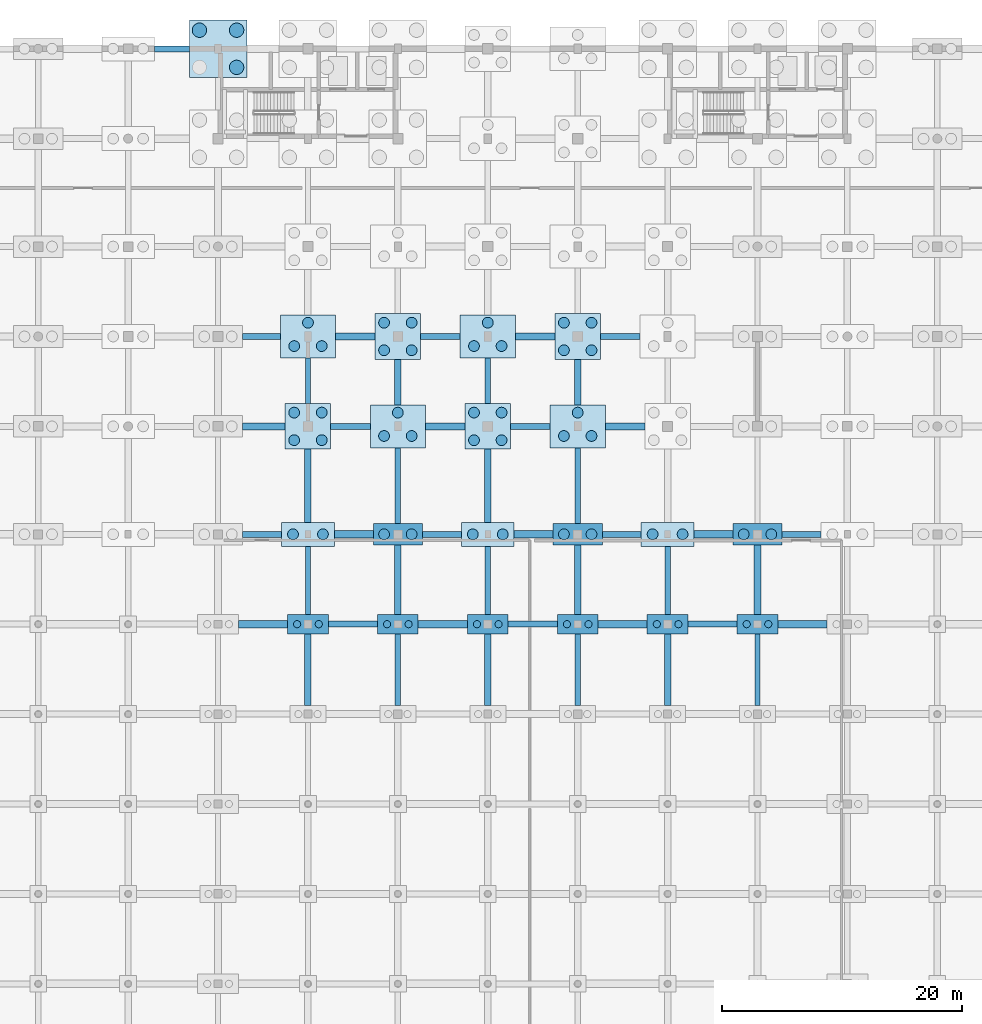
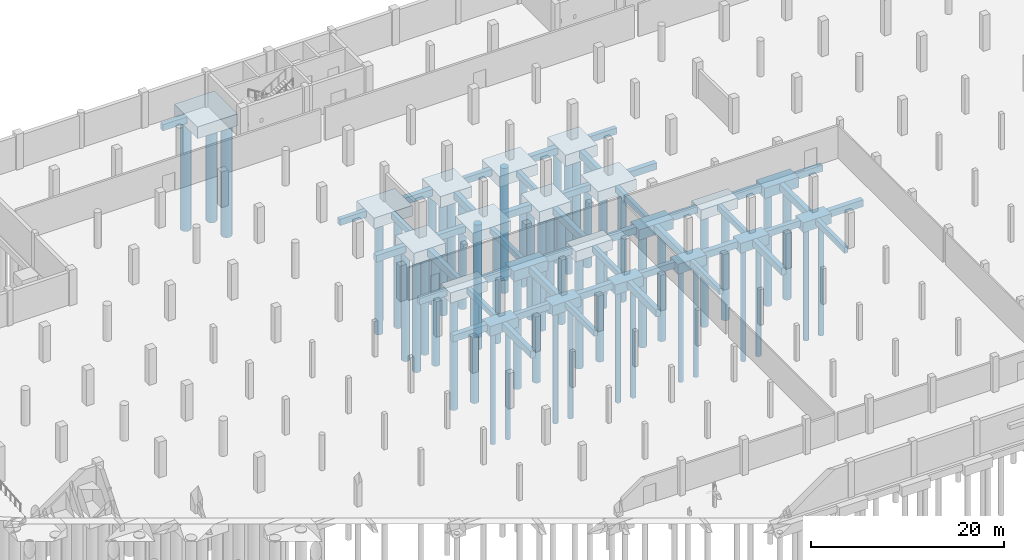
# One storey, part 8 of 42: 66 footings, 55 piles.
"""IFC4 building model written with IfcOpenShell, lengths in metres."""

import ifcopenshell
import ifcopenshell.guid

model = None  # the IFC model being written
_history = None  # IfcOwnerHistory: only IFC2X3 demands one
_inside = {}  # id of a spatial element -> (the spatial element, [elements in it])
_under = {}  # id of a project, library or spatial element -> (it, [spatial elements below it])
_declared = {}  # id of a project -> (the project, [libraries it declares])
_typed = {}  # id of a type object -> (the type object, [elements of that type])
_made_of = {}  # id of a material, layer set ... -> (it, [elements and type objects made of it])


def new_model(schema):
    """Start an empty IFC model of exactly this schema.

    Asked for "IFC4X3", IfcOpenShell would pick the latest addendum, in which some entities
    have other attributes; the version numbers below select the first issue.
    IFC2X3 requires an IfcOwnerHistory on every rooted entity: one is made here for all.
    """
    global model, _history
    if schema == "IFC4X3":
        model = ifcopenshell.file(schema_version=(4, 3, 0, 0))
    else:
        model = ifcopenshell.file(schema=schema)
    _inside.clear()
    _under.clear()
    _declared.clear()
    _typed.clear()
    _made_of.clear()
    _history = None
    if model.schema == "IFC2X3":
        org = make("IfcOrganization", Name="unknown")
        user = make(
            "IfcPersonAndOrganization",
            ThePerson=make("IfcPerson", FamilyName="unknown"),
            TheOrganization=org,
        )
        app = make(
            "IfcApplication",
            ApplicationDeveloper=org,
            Version="unknown",
            ApplicationFullName="unknown",
            ApplicationIdentifier="unknown",
        )
        _history = make(
            "IfcOwnerHistory",
            OwningUser=user,
            OwningApplication=app,
            ChangeAction="ADDED",
            CreationDate=0,
        )
    return model


def make(cls, **values):
    """One entity of the class cls with the attributes given. An attribute that is None is left unset."""
    return model.create_entity(
        cls, **{name: value for name, value in values.items() if value is not None}
    )


def rooted(cls, **values):
    """An entity with a GlobalId (a new one), such as an element, a storey or a relation."""
    return make(cls, GlobalId=ifcopenshell.guid.new(), OwnerHistory=_history, **values)


def si_unit(unit_type, name, prefix=None):
    """IfcSIUnit, for example si_unit("LENGTHUNIT", "METRE", prefix="MILLI")."""
    return make("IfcSIUnit", UnitType=unit_type, Prefix=prefix, Name=name)


def assignment(units):
    """IfcUnitAssignment: the units of a project."""
    return None if units is None else make("IfcUnitAssignment", Units=units)


def point(xyz):
    """IfcCartesianPoint."""
    return None if xyz is None else make("IfcCartesianPoint", Coordinates=xyz)


def direction(xyz):
    """IfcDirection."""
    return None if xyz is None else make("IfcDirection", DirectionRatios=xyz)


def frame(location, z_axis=None, x_axis=None):
    """IfcAxis2Placement3D, a coordinate frame: its origin and axes. An axis left out is left unset."""
    return make(
        "IfcAxis2Placement3D",
        Location=point(location),
        Axis=direction(z_axis),
        RefDirection=direction(x_axis),
    )


def frame_2d(location, x_axis=None):
    """IfcAxis2Placement2D, a coordinate frame in the plane: its origin and x axis."""
    return make(
        "IfcAxis2Placement2D", Location=point(location), RefDirection=direction(x_axis)
    )


def origin():
    """The frame at (0, 0, 0) with its axes left unset."""
    return frame((0.0, 0.0, 0.0))


def origin_2d():
    """The frame at (0, 0) in the plane with its x axis left unset."""
    return frame_2d((0.0, 0.0))


def place(relative_to, where):
    """IfcLocalPlacement: puts the frame where relative to a parent placement (None: the world)."""
    return make(
        "IfcLocalPlacement", PlacementRelTo=relative_to, RelativePlacement=where
    )


def context(
    kind, dimensions, precision=None, world=None, true_north=None, identifier=None
):
    """IfcGeometricRepresentationContext, for example the 3D "Model" context."""
    return make(
        "IfcGeometricRepresentationContext",
        ContextIdentifier=identifier,
        ContextType=kind,
        CoordinateSpaceDimension=dimensions,
        Precision=precision,
        WorldCoordinateSystem=world,
        TrueNorth=true_north,
    )


def subcontext(parent, identifier, kind, view, scale=None):
    """IfcGeometricRepresentationSubContext, for example "Body" below "Model"."""
    return make(
        "IfcGeometricRepresentationSubContext",
        ContextIdentifier=identifier,
        ContextType=kind,
        ParentContext=parent,
        TargetScale=scale,
        TargetView=view,
    )


def project(units=None, contexts=None):
    """IfcProject with its units and contexts."""
    return rooted(
        "IfcProject",
        Name="project",
        RepresentationContexts=contexts,
        UnitsInContext=assignment(units),
    )


def spatial(cls, under=None, at=None, **own):
    """A site, building, storey or space (cls), placed at a placement, below another one or the project."""
    s = rooted(cls, ObjectPlacement=at, **own)
    if under is not None:
        _under.setdefault(under.id(), (under, []))[1].append(s)
    return s


def profile(cls, at=None, kind="AREA", **sizes):
    """A parametric profile (cls). Its sizes go by their IFC names, for example OverallWidth=200.0."""
    return make(cls, ProfileType=kind, Position=at, **sizes)


def rectangle(**sizes):
    """IfcRectangleProfileDef."""
    return profile("IfcRectangleProfileDef", **sizes)


def circle(**sizes):
    """IfcCircleProfileDef."""
    return profile("IfcCircleProfileDef", **sizes)


def extrude(swept, where, along, depth):
    """IfcExtrudedAreaSolid: the profile swept, set in the frame where, extruded along a direction by depth."""
    return make(
        "IfcExtrudedAreaSolid",
        SweptArea=swept,
        Position=where,
        ExtrudedDirection=direction(along),
        Depth=depth,
    )


def shape(context_of_items, identifier, shape_type, items):
    """IfcShapeRepresentation: the items that make up one representation, for example the "Body"."""
    return make(
        "IfcShapeRepresentation",
        ContextOfItems=context_of_items,
        RepresentationIdentifier=identifier,
        RepresentationType=shape_type,
        Items=items,
    )


def material(Name=None, Category=None):
    """IfcMaterial."""
    return make("IfcMaterial", Name=Name, Category=Category)


def material_profile(
    of_material, cross_section, Name=None, Category=None, Priority=None
):
    """IfcMaterialProfile: a cross section and its material."""
    return make(
        "IfcMaterialProfile",
        Name=Name,
        Material=of_material,
        Profile=cross_section,
        Priority=Priority,
        Category=Category,
    )


def profile_set(profiles, Name=None, composite=None):
    """IfcMaterialProfileSet."""
    return make(
        "IfcMaterialProfileSet",
        Name=Name,
        MaterialProfiles=profiles,
        CompositeProfile=composite,
    )


def made_of(thing, what):
    """Note that an element or type object is made of a material, layer set ...; save() writes the relation."""
    if what is not None:
        _made_of.setdefault(what.id(), (what, []))[1].append(thing)
    return thing


def type_object(cls, material=None, **own):
    """A type object (cls), such as IfcWallType, which elements share."""
    return made_of(rooted(cls, **own), material)


def element(
    cls,
    number,
    at=None,
    inside=None,
    cuts=None,
    type_object=None,
    material=None,
    context=None,
    identifier="Body",
    shape_type=None,
    held_by="IfcProductDefinitionShape",
    body=None,
    shapes=None,
    **own,
):
    """One element of the class cls, such as IfcWall. Its Tag is "e" and its number.

    at: its placement. inside: the storey or other place that contains it. cuts: it is an
    opening in that element (IfcRelVoidsElement). A single representation is given by context,
    identifier, shape_type and body (its items); several are given by shapes. held_by: the class
    of the entity that holds the representations. save() writes the other relations.
    """
    e = rooted(cls, Tag="e%d" % number, ObjectPlacement=at, **own)
    if body is not None:
        shapes = [shape(context, identifier, shape_type, body)]
    if shapes is not None:
        e.Representation = make(held_by, Representations=shapes)
    if inside is not None:
        _inside.setdefault(inside.id(), (inside, []))[1].append(e)
    if cuts is not None:
        rooted(
            "IfcRelVoidsElement", RelatingBuildingElement=cuts, RelatedOpeningElement=e
        )
    if type_object is not None:
        _typed.setdefault(type_object.id(), (type_object, []))[1].append(e)
    return made_of(e, material)


def aggregate(whole, parts):
    """IfcRelAggregates: a whole, such as a stair, and the parts it consists of."""
    return rooted("IfcRelAggregates", RelatingObject=whole, RelatedObjects=parts)


def save(model, path):
    """Write the relations noted so far, then the file.

    IfcRelAggregates (storeys below a building ...), IfcRelContainedInSpatialStructure (elements
    in a storey), IfcRelDefinesByType, IfcRelAssociatesMaterial and IfcRelDeclares: one each for
    every whole, place, type object, material and project.
    """
    for whole, parts in _under.values():
        aggregate(whole, parts)
    for where, things in _inside.values():
        rooted(
            "IfcRelContainedInSpatialStructure",
            RelatedElements=things,
            RelatingStructure=where,
        )
    for kind, things in _typed.values():
        rooted("IfcRelDefinesByType", RelatedObjects=things, RelatingType=kind)
    for what, things in _made_of.values():
        rooted("IfcRelAssociatesMaterial", RelatedObjects=things, RelatingMaterial=what)
    for by, libraries in _declared.values():
        rooted("IfcRelDeclares", RelatingContext=by, RelatedDefinitions=libraries)
    model.write(path)


model = new_model("IFC4")

# Units and contexts
model_context = context("Model", 3, precision=1e-05, world=origin(), true_north=direction((0.0, 1.0)))
body_context = subcontext(model_context, "Body", "Model", "MODEL_VIEW")
ifc_project = project(units=[si_unit("LENGTHUNIT", "METRE"), si_unit("AREAUNIT", "SQUARE_METRE"), si_unit("VOLUMEUNIT", "CUBIC_METRE"), si_unit("PLANEANGLEUNIT", "RADIAN"), si_unit("MASSUNIT", "GRAM", prefix="KILO")], contexts=[model_context])

# Site, building, storey
site_placement = place(None, origin())
site = spatial("IfcSite", under=ifc_project, at=site_placement, CompositionType="ELEMENT")
building_placement = place(site_placement, origin())
building = spatial("IfcBuilding", under=site, at=building_placement, Name="Dalvernix Boulevard General Hospital", CompositionType="ELEMENT")
storey_placement = place(building_placement, frame((0.0, 0.0, -4.5)))
storey = spatial("IfcBuildingStorey", under=building, at=storey_placement, Name="B1", CompositionType="ELEMENT", Elevation=-4.5)

# Footings
ifc_material_1 = material(Name="Concrete C35/45", Category="concrete")
footing_type_1 = type_object("IfcFootingType", Name="FTG-GB-01", PredefinedType="FOOTING_BEAM", material=ifc_material_1)
for number, where, z_axis, x_axis, name in (
    (1, (71.25, 69.0, -1.2998046875), (0.0, 0.0, 1.0), (1.0, 0.0, 0.0), "Ground beam K:10-11"),
    (2, (86.25, 69.0, -1.2998046875), (0.0, 0.0, 1.0), (1.0, 0.0, 0.0), "Ground beam K:12-13"),
    (3, (101.25, 69.0, -1.2998046875), (0.0, 0.0, 1.0), (1.0, 0.0, 0.0), "Ground beam K:14-15"),
):
    element("IfcFooting", number, at=place(storey_placement, frame(where, z_axis=z_axis, x_axis=x_axis)), inside=storey, type_object=footing_type_1, Name=name, PredefinedType="FOOTING_BEAM", context=body_context, shape_type="SweptSolid", body=[
        extrude(rectangle(XDim=4.10009765625, YDim=0.5, at=origin_2d()), origin(), (0.0, 0.0, 1.0), 0.800048828125),
    ])
for number, where, z_axis, x_axis, name in (
    (4, (63.675048828125, 76.5, -1.2998046875), (0.0, 0.0, 1.0), (1.0, 0.0, 0.0), "Ground beam L:9-10"),
    (5, (78.675048828125, 76.5, -1.2998046875), (0.0, 0.0, 1.0), (1.0, 0.0, 0.0), "Ground beam L:11-12"),
    (6, (93.675048828125, 76.5, -1.2998046875), (0.0, 0.0, 1.0), (1.0, 0.0, 0.0), "Ground beam L:13-14"),
    (7, (108.675048828125, 76.5, -1.2998046875), (0.0, 0.0, 1.0), (1.0, 0.0, 0.0), "Ground beam L:15-16"),
):
    element("IfcFooting", number, at=place(storey_placement, frame(where, z_axis=z_axis, x_axis=x_axis)), inside=storey, type_object=footing_type_1, Name=name, PredefinedType="FOOTING_BEAM", context=body_context, shape_type="SweptSolid", body=[
        extrude(rectangle(XDim=3.25, YDim=0.5, at=origin_2d()), origin(), (0.0, 0.0, 1.0), 0.800048828125),
    ])
for number, where, z_axis, x_axis, name in (
    (8, (71.050048828125, 85.5, -1.2998046875), (0.0, 0.0, 1.0), (1.0, 0.0, 0.0), "Ground beam M:10-11"),
    (9, (86.050048828125, 85.5, -1.2998046875), (0.0, 0.0, 1.0), (1.0, 0.0, 0.0), "Ground beam M:12-13"),
):
    element("IfcFooting", number, at=place(storey_placement, frame(where, z_axis=z_axis, x_axis=x_axis)), inside=storey, type_object=footing_type_1, Name=name, PredefinedType="FOOTING_BEAM", context=body_context, shape_type="SweptSolid", body=[
        extrude(rectangle(XDim=3.300048828125, YDim=0.5, at=origin_2d()), origin(), (0.0, 0.0, 1.0), 0.800048828125),
    ])
footing_1_placement = place(storey_placement, frame((63.625, 93.0, -1.2998046875), z_axis=(0.0, 0.0, 1.0), x_axis=(1.0, 0.0, 0.0)))
element("IfcFooting", 10, at=footing_1_placement, inside=storey, type_object=footing_type_1, Name="Ground beam N:9-10", PredefinedType="FOOTING_BEAM", context=body_context, shape_type="SweptSolid", body=[
    extrude(rectangle(XDim=3.14990234375, YDim=0.5, at=origin_2d()), origin(), (0.0, 0.0, 1.0), 0.800048828125),
])
for number, where, z_axis, x_axis, name in (
    (11, (78.550048828125, 93.0, -1.2998046875), (0.0, 0.0, 1.0), (1.0, 0.0, 0.0), "Ground beam N:11-12"),
    (12, (93.550048828125, 93.0, -1.2998046875), (0.0, 0.0, 1.0), (1.0, 0.0, 0.0), "Ground beam N:13-14"),
):
    element("IfcFooting", number, at=place(storey_placement, frame(where, z_axis=z_axis, x_axis=x_axis)), inside=storey, type_object=footing_type_1, Name=name, PredefinedType="FOOTING_BEAM", context=body_context, shape_type="SweptSolid", body=[
        extrude(rectangle(XDim=3.300048828125, YDim=0.5, at=origin_2d()), origin(), (0.0, 0.0, 1.0), 0.800048828125),
    ])
footing_2_placement = place(storey_placement, frame((56.14990234375, 117.0, -1.2998046875), z_axis=(0.0, 0.0, 1.0), x_axis=(1.0, 0.0, 0.0)))
element("IfcFooting", 13, at=footing_2_placement, inside=storey, type_object=footing_type_1, Name="Ground beam R:8-9", PredefinedType="FOOTING_BEAM", context=body_context, shape_type="SweptSolid", body=[
    extrude(rectangle(XDim=2.89990234375, YDim=0.5, at=origin_2d()), origin(), (0.0, 0.0, 1.0), 0.800048828125),
])
footing_type_2 = type_object("IfcFootingType", Name="FTG-GB-02", PredefinedType="FOOTING_BEAM", material=ifc_material_1)
for number, where, z_axis, x_axis, name in (
    (14, (63.75, 69.0, -1.35009765625), (0.0, 0.0, 1.0), (1.0, 0.0, 0.0), "Ground beam K:9-10"),
    (15, (78.75, 69.0, -1.35009765625), (0.0, 0.0, 1.0), (1.0, 0.0, 0.0), "Ground beam K:11-12"),
    (16, (93.75, 69.0, -1.35009765625), (0.0, 0.0, 1.0), (1.0, 0.0, 0.0), "Ground beam K:13-14"),
    (17, (108.75, 69.0, -1.35009765625), (0.0, 0.0, 1.0), (1.0, 0.0, 0.0), "Ground beam K:15-16"),
):
    element("IfcFooting", number, at=place(storey_placement, frame(where, z_axis=z_axis, x_axis=x_axis)), inside=storey, type_object=footing_type_2, Name=name, PredefinedType="FOOTING_BEAM", context=body_context, shape_type="SweptSolid", body=[
        extrude(rectangle(XDim=4.10009765625, YDim=0.60009765625, at=origin_2d()), origin(), (0.0, 0.0, 1.0), 0.85009765625),
    ])
for number, where, z_axis, x_axis, name in (
    (18, (71.324951171875, 76.5, -1.35009765625), (0.0, 0.0, 1.0), (1.0, 0.0, 0.0), "Ground beam L:10-11"),
    (19, (86.324951171875, 76.5, -1.35009765625), (0.0, 0.0, 1.0), (1.0, 0.0, 0.0), "Ground beam L:12-13"),
    (20, (101.324951171875, 76.5, -1.35009765625), (0.0, 0.0, 1.0), (1.0, 0.0, 0.0), "Ground beam L:14-15"),
):
    element("IfcFooting", number, at=place(storey_placement, frame(where, z_axis=z_axis, x_axis=x_axis)), inside=storey, type_object=footing_type_2, Name=name, PredefinedType="FOOTING_BEAM", context=body_context, shape_type="SweptSolid", body=[
        extrude(rectangle(XDim=3.25, YDim=0.60009765625, at=origin_2d()), origin(), (0.0, 0.0, 1.0), 0.85009765625),
    ])
footing_3_placement = place(storey_placement, frame((63.824951171875, 85.5, -1.35009765625), z_axis=(0.0, 0.0, 1.0), x_axis=(1.0, 0.0, 0.0)))
element("IfcFooting", 21, at=footing_3_placement, inside=storey, type_object=footing_type_2, Name="Ground beam M:9-10", PredefinedType="FOOTING_BEAM", context=body_context, shape_type="SweptSolid", body=[
    extrude(rectangle(XDim=3.550048828125, YDim=0.60009765625, at=origin_2d()), origin(), (0.0, 0.0, 1.0), 0.85009765625),
])
for number, where, z_axis, x_axis, name in (
    (22, (78.949951171875, 85.5, -1.35009765625), (0.0, 0.0, 1.0), (1.0, 0.0, 0.0), "Ground beam M:11-12"),
    (23, (93.949951171875, 85.5, -1.35009765625), (0.0, 0.0, 1.0), (1.0, 0.0, 0.0), "Ground beam M:13-14"),
    (24, (71.449951171875, 93.0, -1.35009765625), (0.0, 0.0, 1.0), (1.0, 0.0, 0.0), "Ground beam N:10-11"),
    (25, (86.449951171875, 93.0, -1.35009765625), (0.0, 0.0, 1.0), (1.0, 0.0, 0.0), "Ground beam N:12-13"),
):
    element("IfcFooting", number, at=place(storey_placement, frame(where, z_axis=z_axis, x_axis=x_axis)), inside=storey, type_object=footing_type_2, Name=name, PredefinedType="FOOTING_BEAM", context=body_context, shape_type="SweptSolid", body=[
        extrude(rectangle(XDim=3.300048828125, YDim=0.60009765625, at=origin_2d()), origin(), (0.0, 0.0, 1.0), 0.85009765625),
    ])
footing_type_3 = type_object("IfcFootingType", Name="FTG-GB-03", PredefinedType="FOOTING_BEAM", material=ifc_material_1)
footing_4_placement = place(storey_placement, frame((67.5, 72.64990234375, -1.25), z_axis=(0.0, 0.0, 1.0), x_axis=(0.0, 1.0, 0.0)))
element("IfcFooting", 26, at=footing_4_placement, inside=storey, type_object=footing_type_3, Name="Ground beam 10:K-L", PredefinedType="FOOTING_BEAM", context=body_context, shape_type="SweptSolid", body=[
    extrude(rectangle(XDim=5.699951171875, YDim=0.449951171875, at=origin_2d()), origin(), (0.0, 0.0, 1.0), 0.75),
])
footing_5_placement = place(storey_placement, frame((67.5, 89.300048828125, -1.25), z_axis=(0.0, 0.0, 1.0), x_axis=(0.0, 1.0, 0.0)))
element("IfcFooting", 27, at=footing_5_placement, inside=storey, type_object=footing_type_3, Name="Ground beam 10:M-N", PredefinedType="FOOTING_BEAM", context=body_context, shape_type="SweptSolid", body=[
    extrude(rectangle(XDim=3.800048828125, YDim=0.449951171875, at=origin_2d()), origin(), (0.0, 0.0, 1.0), 0.75),
])
footing_6_placement = place(storey_placement, frame((75.0, 65.199951171875, -1.25), z_axis=(0.0, 0.0, 1.0), x_axis=(0.0, 1.0, 0.0)))
element("IfcFooting", 28, at=footing_6_placement, inside=storey, type_object=footing_type_3, Name="Ground beam 11:J-K", PredefinedType="FOOTING_BEAM", context=body_context, shape_type="SweptSolid", body=[
    extrude(rectangle(XDim=6.0, YDim=0.449951171875, at=origin_2d()), origin(), (0.0, 0.0, 1.0), 0.75),
])
footing_7_placement = place(storey_placement, frame((75.0, 80.550048828125, -1.25), z_axis=(0.0, 0.0, 1.0), x_axis=(0.0, 1.0, 0.0)))
element("IfcFooting", 29, at=footing_7_placement, inside=storey, type_object=footing_type_3, Name="Ground beam 11:L-M", PredefinedType="FOOTING_BEAM", context=body_context, shape_type="SweptSolid", body=[
    extrude(rectangle(XDim=6.300048828125, YDim=0.449951171875, at=origin_2d()), origin(), (0.0, 0.0, 1.0), 0.75),
])
footing_8_placement = place(storey_placement, frame((82.5, 72.64990234375, -1.25), z_axis=(0.0, 0.0, 1.0), x_axis=(0.0, 1.0, 0.0)))
element("IfcFooting", 30, at=footing_8_placement, inside=storey, type_object=footing_type_3, Name="Ground beam 12:K-L", PredefinedType="FOOTING_BEAM", context=body_context, shape_type="SweptSolid", body=[
    extrude(rectangle(XDim=5.699951171875, YDim=0.449951171875, at=origin_2d()), origin(), (0.0, 0.0, 1.0), 0.75),
])
footing_9_placement = place(storey_placement, frame((82.5, 89.300048828125, -1.25), z_axis=(0.0, 0.0, 1.0), x_axis=(0.0, 1.0, 0.0)))
element("IfcFooting", 31, at=footing_9_placement, inside=storey, type_object=footing_type_3, Name="Ground beam 12:M-N", PredefinedType="FOOTING_BEAM", context=body_context, shape_type="SweptSolid", body=[
    extrude(rectangle(XDim=3.800048828125, YDim=0.449951171875, at=origin_2d()), origin(), (0.0, 0.0, 1.0), 0.75),
])
footing_10_placement = place(storey_placement, frame((90.0, 65.199951171875, -1.25), z_axis=(0.0, 0.0, 1.0), x_axis=(0.0, 1.0, 0.0)))
element("IfcFooting", 32, at=footing_10_placement, inside=storey, type_object=footing_type_3, Name="Ground beam 13:J-K", PredefinedType="FOOTING_BEAM", context=body_context, shape_type="SweptSolid", body=[
    extrude(rectangle(XDim=6.0, YDim=0.449951171875, at=origin_2d()), origin(), (0.0, 0.0, 1.0), 0.75),
])
footing_11_placement = place(storey_placement, frame((90.0, 80.550048828125, -1.25), z_axis=(0.0, 0.0, 1.0), x_axis=(0.0, 1.0, 0.0)))
element("IfcFooting", 33, at=footing_11_placement, inside=storey, type_object=footing_type_3, Name="Ground beam 13:L-M", PredefinedType="FOOTING_BEAM", context=body_context, shape_type="SweptSolid", body=[
    extrude(rectangle(XDim=6.300048828125, YDim=0.449951171875, at=origin_2d()), origin(), (0.0, 0.0, 1.0), 0.75),
])
footing_12_placement = place(storey_placement, frame((97.5, 72.64990234375, -1.25), z_axis=(0.0, 0.0, 1.0), x_axis=(0.0, 1.0, 0.0)))
element("IfcFooting", 34, at=footing_12_placement, inside=storey, type_object=footing_type_3, Name="Ground beam 14:K-L", PredefinedType="FOOTING_BEAM", context=body_context, shape_type="SweptSolid", body=[
    extrude(rectangle(XDim=5.699951171875, YDim=0.449951171875, at=origin_2d()), origin(), (0.0, 0.0, 1.0), 0.75),
])
footing_13_placement = place(storey_placement, frame((105.0, 65.199951171875, -1.25), z_axis=(0.0, 0.0, 1.0), x_axis=(0.0, 1.0, 0.0)))
element("IfcFooting", 35, at=footing_13_placement, inside=storey, type_object=footing_type_3, Name="Ground beam 15:J-K", PredefinedType="FOOTING_BEAM", context=body_context, shape_type="SweptSolid", body=[
    extrude(rectangle(XDim=6.0, YDim=0.449951171875, at=origin_2d()), origin(), (0.0, 0.0, 1.0), 0.75),
])
footing_type_4 = type_object("IfcFootingType", Name="FTG-GB-04", PredefinedType="FOOTING_BEAM", material=ifc_material_1)
footing_14_placement = place(storey_placement, frame((67.5, 65.199951171875, -1.39990234375), z_axis=(0.0, 0.0, 1.0), x_axis=(0.0, 1.0, 0.0)))
element("IfcFooting", 36, at=footing_14_placement, inside=storey, type_object=footing_type_4, Name="Ground beam 10:J-K", PredefinedType="FOOTING_BEAM", context=body_context, shape_type="SweptSolid", body=[
    extrude(rectangle(XDim=6.0, YDim=0.550048828125, at=origin_2d()), origin(), (0.0, 0.0, 1.0), 0.89990234375),
])
footing_15_placement = place(storey_placement, frame((67.5, 80.550048828125, -1.39990234375), z_axis=(0.0, 0.0, 1.0), x_axis=(0.0, 1.0, 0.0)))
element("IfcFooting", 37, at=footing_15_placement, inside=storey, type_object=footing_type_4, Name="Ground beam 10:L-M", PredefinedType="FOOTING_BEAM", context=body_context, shape_type="SweptSolid", body=[
    extrude(rectangle(XDim=6.10009765625, YDim=0.550048828125, at=origin_2d()), origin(), (0.0, 0.0, 1.0), 0.89990234375),
])
footing_16_placement = place(storey_placement, frame((75.0, 72.699951171875, -1.39990234375), z_axis=(0.0, 0.0, 1.0), x_axis=(0.0, 1.0, 0.0)))
element("IfcFooting", 38, at=footing_16_placement, inside=storey, type_object=footing_type_4, Name="Ground beam 11:K-L", PredefinedType="FOOTING_BEAM", context=body_context, shape_type="SweptSolid", body=[
    extrude(rectangle(XDim=5.800048828125, YDim=0.550048828125, at=origin_2d()), origin(), (0.0, 0.0, 1.0), 0.89990234375),
])
footing_17_placement = place(storey_placement, frame((75.0, 89.199951171875, -1.39990234375), z_axis=(0.0, 0.0, 1.0), x_axis=(0.0, 1.0, 0.0)))
element("IfcFooting", 39, at=footing_17_placement, inside=storey, type_object=footing_type_4, Name="Ground beam 11:M-N", PredefinedType="FOOTING_BEAM", context=body_context, shape_type="SweptSolid", body=[
    extrude(rectangle(XDim=3.800048828125, YDim=0.550048828125, at=origin_2d()), origin(), (0.0, 0.0, 1.0), 0.89990234375),
])
footing_18_placement = place(storey_placement, frame((82.5, 65.199951171875, -1.39990234375), z_axis=(0.0, 0.0, 1.0), x_axis=(0.0, 1.0, 0.0)))
element("IfcFooting", 40, at=footing_18_placement, inside=storey, type_object=footing_type_4, Name="Ground beam 12:J-K", PredefinedType="FOOTING_BEAM", context=body_context, shape_type="SweptSolid", body=[
    extrude(rectangle(XDim=6.0, YDim=0.550048828125, at=origin_2d()), origin(), (0.0, 0.0, 1.0), 0.89990234375),
])
footing_19_placement = place(storey_placement, frame((82.5, 80.550048828125, -1.39990234375), z_axis=(0.0, 0.0, 1.0), x_axis=(0.0, 1.0, 0.0)))
element("IfcFooting", 41, at=footing_19_placement, inside=storey, type_object=footing_type_4, Name="Ground beam 12:L-M", PredefinedType="FOOTING_BEAM", context=body_context, shape_type="SweptSolid", body=[
    extrude(rectangle(XDim=6.10009765625, YDim=0.550048828125, at=origin_2d()), origin(), (0.0, 0.0, 1.0), 0.89990234375),
])
footing_20_placement = place(storey_placement, frame((90.0, 72.699951171875, -1.39990234375), z_axis=(0.0, 0.0, 1.0), x_axis=(0.0, 1.0, 0.0)))
element("IfcFooting", 42, at=footing_20_placement, inside=storey, type_object=footing_type_4, Name="Ground beam 13:K-L", PredefinedType="FOOTING_BEAM", context=body_context, shape_type="SweptSolid", body=[
    extrude(rectangle(XDim=5.800048828125, YDim=0.550048828125, at=origin_2d()), origin(), (0.0, 0.0, 1.0), 0.89990234375),
])
footing_21_placement = place(storey_placement, frame((90.0, 89.199951171875, -1.39990234375), z_axis=(0.0, 0.0, 1.0), x_axis=(0.0, 1.0, 0.0)))
element("IfcFooting", 43, at=footing_21_placement, inside=storey, type_object=footing_type_4, Name="Ground beam 13:M-N", PredefinedType="FOOTING_BEAM", context=body_context, shape_type="SweptSolid", body=[
    extrude(rectangle(XDim=3.800048828125, YDim=0.550048828125, at=origin_2d()), origin(), (0.0, 0.0, 1.0), 0.89990234375),
])
footing_22_placement = place(storey_placement, frame((97.5, 65.199951171875, -1.39990234375), z_axis=(0.0, 0.0, 1.0), x_axis=(0.0, 1.0, 0.0)))
element("IfcFooting", 44, at=footing_22_placement, inside=storey, type_object=footing_type_4, Name="Ground beam 14:J-K", PredefinedType="FOOTING_BEAM", context=body_context, shape_type="SweptSolid", body=[
    extrude(rectangle(XDim=6.0, YDim=0.550048828125, at=origin_2d()), origin(), (0.0, 0.0, 1.0), 0.89990234375),
])
footing_23_placement = place(storey_placement, frame((105.0, 72.699951171875, -1.39990234375), z_axis=(0.0, 0.0, 1.0), x_axis=(0.0, 1.0, 0.0)))
element("IfcFooting", 45, at=footing_23_placement, inside=storey, type_object=footing_type_4, Name="Ground beam 15:K-L", PredefinedType="FOOTING_BEAM", context=body_context, shape_type="SweptSolid", body=[
    extrude(rectangle(XDim=5.800048828125, YDim=0.550048828125, at=origin_2d()), origin(), (0.0, 0.0, 1.0), 0.89990234375),
])
ifc_material_2 = material(Name="Concrete C40/50", Category="concrete")
footing_type_5 = type_object("IfcFootingType", Name="FTG-PC-03", PredefinedType="PILE_CAP", material=ifc_material_2)
for number, where, z_axis, x_axis, name in (
    (46, (67.5, 69.0, -1.75), (0.0, 0.0, 1.0), (1.0, 0.0, 0.0), "Pile cap 10K"),
    (47, (75.0, 69.0, -1.75), (0.0, 0.0, 1.0), (1.0, 0.0, 0.0), "Pile cap 11K"),
    (48, (82.5, 69.0, -1.75), (0.0, 0.0, 1.0), (1.0, 0.0, 0.0), "Pile cap 12K"),
    (49, (90.0, 69.0, -1.75), (0.0, 0.0, 1.0), (1.0, 0.0, 0.0), "Pile cap 13K"),
    (50, (97.5, 69.0, -1.75), (0.0, 0.0, 1.0), (1.0, 0.0, 0.0), "Pile cap 14K"),
    (51, (105.0, 69.0, -1.75), (0.0, 0.0, 1.0), (1.0, 0.0, 0.0), "Pile cap 15K"),
):
    element("IfcFooting", number, at=place(storey_placement, frame(where, z_axis=z_axis, x_axis=x_axis)), inside=storey, type_object=footing_type_5, Name=name, PredefinedType="PILE_CAP", context=body_context, shape_type="SweptSolid", body=[
        extrude(rectangle(XDim=3.39990234375, YDim=1.60009765625, at=origin_2d()), origin(), (0.0, 0.0, 1.0), 1.25),
    ])
footing_type_6 = type_object("IfcFootingType", Name="FTG-PC-04", PredefinedType="PILE_CAP", material=ifc_material_2)
for number, where, z_axis, x_axis, name in (
    (52, (75.0, 76.5, -1.7998046875), (0.0, 0.0, 1.0), (1.0, 0.0, 0.0), "Pile cap 11L"),
    (53, (90.0, 76.5, -1.7998046875), (0.0, 0.0, 1.0), (1.0, 0.0, 0.0), "Pile cap 13L"),
    (54, (105.0, 76.5, -1.7998046875), (0.0, 0.0, 1.0), (1.0, 0.0, 0.0), "Pile cap 15L"),
):
    element("IfcFooting", number, at=place(storey_placement, frame(where, z_axis=z_axis, x_axis=x_axis)), inside=storey, type_object=footing_type_6, Name=name, PredefinedType="PILE_CAP", context=body_context, shape_type="SweptSolid", body=[
        extrude(rectangle(XDim=4.10009765625, YDim=1.800048828125, at=origin_2d()), origin(), (0.0, 0.0, 1.0), 1.300048828125),
    ])
footing_type_7 = type_object("IfcFootingType", Name="FTG-PC-05", PredefinedType="PILE_CAP", material=ifc_material_2)
for number, where, z_axis, x_axis, name in (
    (55, (67.5, 76.5, -1.7998046875), (0.0, 0.0, 1.0), (1.0, 0.0, 0.0), "Pile cap 10L"),
    (56, (82.5, 76.5, -1.7998046875), (0.0, 0.0, 1.0), (1.0, 0.0, 0.0), "Pile cap 12L"),
    (57, (97.5, 76.5, -1.7998046875), (0.0, 0.0, 1.0), (1.0, 0.0, 0.0), "Pile cap 14L"),
):
    element("IfcFooting", number, at=place(storey_placement, frame(where, z_axis=z_axis, x_axis=x_axis)), inside=storey, type_object=footing_type_7, Name=name, PredefinedType="PILE_CAP", context=body_context, shape_type="SweptSolid", body=[
        extrude(rectangle(XDim=4.39990234375, YDim=2.0, at=origin_2d()), origin(), (0.0, 0.0, 1.0), 1.300048828125),
    ])
footing_type_8 = type_object("IfcFootingType", Name="FTG-PC-06", PredefinedType="PILE_CAP", material=ifc_material_2)
for number, where, z_axis, x_axis, name in (
    (58, (67.5, 93.0, -1.85009765625), (0.0, 0.0, 1.0), (1.0, 0.0, 0.0), "Pile cap 10N"),
    (59, (75.0, 85.5, -1.85009765625), (0.0, 0.0, 1.0), (1.0, 0.0, 0.0), "Pile cap 11M"),
    (60, (82.5, 93.0, -1.85009765625), (0.0, 0.0, 1.0), (1.0, 0.0, 0.0), "Pile cap 12N"),
    (61, (90.0, 85.5, -1.85009765625), (0.0, 0.0, 1.0), (1.0, 0.0, 0.0), "Pile cap 13M"),
):
    element("IfcFooting", number, at=place(storey_placement, frame(where, z_axis=z_axis, x_axis=x_axis)), inside=storey, type_object=footing_type_8, Name=name, PredefinedType="PILE_CAP", context=body_context, shape_type="SweptSolid", body=[
        extrude(rectangle(XDim=4.60009765625, YDim=3.60009765625, at=origin_2d()), origin(), (0.0, 0.0, 1.0), 1.35009765625),
    ])
footing_type_9 = type_object("IfcFootingType", Name="FTG-PC-07", PredefinedType="PILE_CAP", material=ifc_material_2)
for number, where, z_axis, x_axis, name in (
    (62, (67.5, 85.5, -1.89990234375), (0.0, 0.0, 1.0), (1.0, 0.0, 0.0), "Pile cap 10M"),
    (63, (75.0, 93.0, -1.89990234375), (0.0, 0.0, 1.0), (1.0, 0.0, 0.0), "Pile cap 11N"),
    (64, (82.5, 85.5, -1.89990234375), (0.0, 0.0, 1.0), (1.0, 0.0, 0.0), "Pile cap 12M"),
    (65, (90.0, 93.0, -1.89990234375), (0.0, 0.0, 1.0), (1.0, 0.0, 0.0), "Pile cap 13N"),
):
    element("IfcFooting", number, at=place(storey_placement, frame(where, z_axis=z_axis, x_axis=x_axis)), inside=storey, type_object=footing_type_9, Name=name, PredefinedType="PILE_CAP", context=body_context, shape_type="SweptSolid", body=[
        extrude(rectangle(XDim=3.800048828125, YDim=3.800048828125, at=origin_2d()), origin(), (0.0, 0.0, 1.0), 1.39990234375),
    ])
footing_type_10 = type_object("IfcFootingType", Name="FTG-PC-09", PredefinedType="PILE_CAP", material=ifc_material_2)
footing_24_placement = place(storey_placement, frame((60.0, 117.0, -2.0), z_axis=(0.0, 0.0, 1.0), x_axis=(1.0, 0.0, 0.0)))
element("IfcFooting", 66, at=footing_24_placement, inside=storey, type_object=footing_type_10, Name="Pile cap 9R", PredefinedType="PILE_CAP", context=body_context, shape_type="SweptSolid", body=[
    extrude(rectangle(XDim=4.800048828125, YDim=4.800048828125, at=origin_2d()), origin(), (0.0, 0.0, 1.0), 1.5),
])

# Piles
ifc_material_profile_1 = material_profile(ifc_material_1, circle(Radius=0.300048828125, at=origin_2d()), Name="BORED PILE D600")
ifc_profile_set_1 = profile_set([ifc_material_profile_1], Name="Concrete C35/45")
pile_type_1 = type_object("IfcPileType", Name="PILE-PL-01", PredefinedType="BORED", material=ifc_profile_set_1)
for number, where, z_axis, x_axis, name in (
    (67, (66.60009765625, 69.0, -1.64990234375), (0.0, 0.0, -1.0), (1.0, 0.0, 0.0), "Bored pile 10K-1"),
    (68, (68.39990234375, 69.0, -1.64990234375), (0.0, 0.0, -1.0), (1.0, 0.0, 0.0), "Bored pile 10K-2"),
    (69, (74.10009765625, 69.0, -1.64990234375), (0.0, 0.0, -1.0), (1.0, 0.0, 0.0), "Bored pile 11K-1"),
    (70, (75.89990234375, 69.0, -1.64990234375), (0.0, 0.0, -1.0), (1.0, 0.0, 0.0), "Bored pile 11K-2"),
    (71, (81.60009765625, 69.0, -1.64990234375), (0.0, 0.0, -1.0), (1.0, 0.0, 0.0), "Bored pile 12K-1"),
    (72, (83.39990234375, 69.0, -1.64990234375), (0.0, 0.0, -1.0), (1.0, 0.0, 0.0), "Bored pile 12K-2"),
    (73, (89.10009765625, 69.0, -1.64990234375), (0.0, 0.0, -1.0), (1.0, 0.0, 0.0), "Bored pile 13K-1"),
    (74, (90.89990234375, 69.0, -1.64990234375), (0.0, 0.0, -1.0), (1.0, 0.0, 0.0), "Bored pile 13K-2"),
    (75, (96.60009765625, 69.0, -1.64990234375), (0.0, 0.0, -1.0), (1.0, 0.0, 0.0), "Bored pile 14K-1"),
    (76, (98.39990234375, 69.0, -1.64990234375), (0.0, 0.0, -1.0), (1.0, 0.0, 0.0), "Bored pile 14K-2"),
    (77, (104.10009765625, 69.0, -1.64990234375), (0.0, 0.0, -1.0), (1.0, 0.0, 0.0), "Bored pile 15K-1"),
    (78, (105.89990234375, 69.0, -1.64990234375), (0.0, 0.0, -1.0), (1.0, 0.0, 0.0), "Bored pile 15K-2"),
):
    element("IfcPile", number, at=place(storey_placement, frame(where, z_axis=z_axis, x_axis=x_axis)), inside=storey, type_object=pile_type_1, Name=name, PredefinedType="BORED", context=body_context, shape_type="SweptSolid", body=[
        extrude(circle(Radius=0.300048828125, at=origin_2d()), origin(), (0.0, 0.0, 1.0), 14.35009765625),
    ])
ifc_material_profile_2 = material_profile(ifc_material_1, circle(Radius=0.449951171875, at=origin_2d()), Name="BORED PILE D900")
ifc_profile_set_2 = profile_set([ifc_material_profile_2], Name="Concrete C35/45")
pile_type_2 = type_object("IfcPileType", Name="PILE-PL-02", PredefinedType="BORED", material=ifc_profile_set_2)
for number, where, z_axis, x_axis, name in (
    (79, (66.25, 76.5, -1.699951171875), (0.0, 0.0, -1.0), (1.0, 0.0, 0.0), "Bored pile 10L-1"),
    (80, (68.75, 76.5, -1.699951171875), (0.0, 0.0, -1.0), (1.0, 0.0, 0.0), "Bored pile 10L-2"),
):
    element("IfcPile", number, at=place(storey_placement, frame(where, z_axis=z_axis, x_axis=x_axis)), inside=storey, type_object=pile_type_2, Name=name, PredefinedType="BORED", context=body_context, shape_type="SweptSolid", body=[
        extrude(circle(Radius=0.449951171875, at=origin_2d()), origin(), (0.0, 0.0, 1.0), 14.300048828125),
    ])
for number, where, z_axis, x_axis, name in (
    (81, (66.35009765625, 84.35009765625, -1.800048828125), (0.0, 0.0, -1.0), (1.0, 0.0, 0.0), "Bored pile 10M-1"),
    (82, (68.64990234375, 84.35009765625, -1.800048828125), (0.0, 0.0, -1.0), (1.0, 0.0, 0.0), "Bored pile 10M-2"),
    (83, (66.35009765625, 86.64990234375, -1.800048828125), (0.0, 0.0, -1.0), (1.0, 0.0, 0.0), "Bored pile 10M-3"),
    (84, (68.64990234375, 86.64990234375, -1.800048828125), (0.0, 0.0, -1.0), (1.0, 0.0, 0.0), "Bored pile 10M-4"),
):
    element("IfcPile", number, at=place(storey_placement, frame(where, z_axis=z_axis, x_axis=x_axis)), inside=storey, type_object=pile_type_2, Name=name, PredefinedType="BORED", context=body_context, shape_type="SweptSolid", body=[
        extrude(circle(Radius=0.449951171875, at=origin_2d()), origin(), (0.0, 0.0, 1.0), 14.199951171875),
    ])
for number, where, z_axis, x_axis, name in (
    (85, (66.35009765625, 92.199951171875, -1.75), (0.0, 0.0, -1.0), (1.0, 0.0, 0.0), "Bored pile 10N-1"),
    (86, (68.64990234375, 92.199951171875, -1.75), (0.0, 0.0, -1.0), (1.0, 0.0, 0.0), "Bored pile 10N-2"),
    (87, (67.5, 94.14990234375, -1.75), (0.0, 0.0, -1.0), (1.0, 0.0, 0.0), "Bored pile 10N-3"),
):
    element("IfcPile", number, at=place(storey_placement, frame(where, z_axis=z_axis, x_axis=x_axis)), inside=storey, type_object=pile_type_2, Name=name, PredefinedType="BORED", context=body_context, shape_type="SweptSolid", body=[
        extrude(circle(Radius=0.449951171875, at=origin_2d()), origin(), (0.0, 0.0, 1.0), 14.25),
    ])
for number, where, z_axis, x_axis, name in (
    (88, (73.85009765625, 76.5, -1.699951171875), (0.0, 0.0, -1.0), (1.0, 0.0, 0.0), "Bored pile 11L-1"),
    (89, (76.14990234375, 76.5, -1.699951171875), (0.0, 0.0, -1.0), (1.0, 0.0, 0.0), "Bored pile 11L-2"),
):
    element("IfcPile", number, at=place(storey_placement, frame(where, z_axis=z_axis, x_axis=x_axis)), inside=storey, type_object=pile_type_2, Name=name, PredefinedType="BORED", context=body_context, shape_type="SweptSolid", body=[
        extrude(circle(Radius=0.449951171875, at=origin_2d()), origin(), (0.0, 0.0, 1.0), 14.300048828125),
    ])
for number, where, z_axis, x_axis, name in (
    (90, (73.85009765625, 84.699951171875, -1.75), (0.0, 0.0, -1.0), (1.0, 0.0, 0.0), "Bored pile 11M-1"),
    (91, (76.14990234375, 84.699951171875, -1.75), (0.0, 0.0, -1.0), (1.0, 0.0, 0.0), "Bored pile 11M-2"),
    (92, (75.0, 86.64990234375, -1.75), (0.0, 0.0, -1.0), (1.0, 0.0, 0.0), "Bored pile 11M-3"),
):
    element("IfcPile", number, at=place(storey_placement, frame(where, z_axis=z_axis, x_axis=x_axis)), inside=storey, type_object=pile_type_2, Name=name, PredefinedType="BORED", context=body_context, shape_type="SweptSolid", body=[
        extrude(circle(Radius=0.449951171875, at=origin_2d()), origin(), (0.0, 0.0, 1.0), 14.25),
    ])
for number, where, z_axis, x_axis, name in (
    (93, (73.85009765625, 91.85009765625, -1.800048828125), (0.0, 0.0, -1.0), (1.0, 0.0, 0.0), "Bored pile 11N-1"),
    (94, (76.14990234375, 91.85009765625, -1.800048828125), (0.0, 0.0, -1.0), (1.0, 0.0, 0.0), "Bored pile 11N-2"),
    (95, (73.85009765625, 94.14990234375, -1.800048828125), (0.0, 0.0, -1.0), (1.0, 0.0, 0.0), "Bored pile 11N-3"),
    (96, (76.14990234375, 94.14990234375, -1.800048828125), (0.0, 0.0, -1.0), (1.0, 0.0, 0.0), "Bored pile 11N-4"),
):
    element("IfcPile", number, at=place(storey_placement, frame(where, z_axis=z_axis, x_axis=x_axis)), inside=storey, type_object=pile_type_2, Name=name, PredefinedType="BORED", context=body_context, shape_type="SweptSolid", body=[
        extrude(circle(Radius=0.449951171875, at=origin_2d()), origin(), (0.0, 0.0, 1.0), 14.199951171875),
    ])
for number, where, z_axis, x_axis, name in (
    (97, (81.25, 76.5, -1.699951171875), (0.0, 0.0, -1.0), (1.0, 0.0, 0.0), "Bored pile 12L-1"),
    (98, (83.75, 76.5, -1.699951171875), (0.0, 0.0, -1.0), (1.0, 0.0, 0.0), "Bored pile 12L-2"),
):
    element("IfcPile", number, at=place(storey_placement, frame(where, z_axis=z_axis, x_axis=x_axis)), inside=storey, type_object=pile_type_2, Name=name, PredefinedType="BORED", context=body_context, shape_type="SweptSolid", body=[
        extrude(circle(Radius=0.449951171875, at=origin_2d()), origin(), (0.0, 0.0, 1.0), 14.300048828125),
    ])
for number, where, z_axis, x_axis, name in (
    (99, (81.35009765625, 84.35009765625, -1.800048828125), (0.0, 0.0, -1.0), (1.0, 0.0, 0.0), "Bored pile 12M-1"),
    (100, (83.64990234375, 84.35009765625, -1.800048828125), (0.0, 0.0, -1.0), (1.0, 0.0, 0.0), "Bored pile 12M-2"),
    (101, (81.35009765625, 86.64990234375, -1.800048828125), (0.0, 0.0, -1.0), (1.0, 0.0, 0.0), "Bored pile 12M-3"),
    (102, (83.64990234375, 86.64990234375, -1.800048828125), (0.0, 0.0, -1.0), (1.0, 0.0, 0.0), "Bored pile 12M-4"),
):
    element("IfcPile", number, at=place(storey_placement, frame(where, z_axis=z_axis, x_axis=x_axis)), inside=storey, type_object=pile_type_2, Name=name, PredefinedType="BORED", context=body_context, shape_type="SweptSolid", body=[
        extrude(circle(Radius=0.449951171875, at=origin_2d()), origin(), (0.0, 0.0, 1.0), 14.199951171875),
    ])
for number, where, z_axis, x_axis, name in (
    (103, (81.35009765625, 92.199951171875, -1.75), (0.0, 0.0, -1.0), (1.0, 0.0, 0.0), "Bored pile 12N-1"),
    (104, (83.64990234375, 92.199951171875, -1.75), (0.0, 0.0, -1.0), (1.0, 0.0, 0.0), "Bored pile 12N-2"),
    (105, (82.5, 94.14990234375, -1.75), (0.0, 0.0, -1.0), (1.0, 0.0, 0.0), "Bored pile 12N-3"),
):
    element("IfcPile", number, at=place(storey_placement, frame(where, z_axis=z_axis, x_axis=x_axis)), inside=storey, type_object=pile_type_2, Name=name, PredefinedType="BORED", context=body_context, shape_type="SweptSolid", body=[
        extrude(circle(Radius=0.449951171875, at=origin_2d()), origin(), (0.0, 0.0, 1.0), 14.25),
    ])
for number, where, z_axis, x_axis, name in (
    (106, (88.85009765625, 76.5, -1.699951171875), (0.0, 0.0, -1.0), (1.0, 0.0, 0.0), "Bored pile 13L-1"),
    (107, (91.14990234375, 76.5, -1.699951171875), (0.0, 0.0, -1.0), (1.0, 0.0, 0.0), "Bored pile 13L-2"),
):
    element("IfcPile", number, at=place(storey_placement, frame(where, z_axis=z_axis, x_axis=x_axis)), inside=storey, type_object=pile_type_2, Name=name, PredefinedType="BORED", context=body_context, shape_type="SweptSolid", body=[
        extrude(circle(Radius=0.449951171875, at=origin_2d()), origin(), (0.0, 0.0, 1.0), 14.300048828125),
    ])
for number, where, z_axis, x_axis, name in (
    (108, (88.85009765625, 84.699951171875, -1.75), (0.0, 0.0, -1.0), (1.0, 0.0, 0.0), "Bored pile 13M-1"),
    (109, (91.14990234375, 84.699951171875, -1.75), (0.0, 0.0, -1.0), (1.0, 0.0, 0.0), "Bored pile 13M-2"),
    (110, (90.0, 86.64990234375, -1.75), (0.0, 0.0, -1.0), (1.0, 0.0, 0.0), "Bored pile 13M-3"),
):
    element("IfcPile", number, at=place(storey_placement, frame(where, z_axis=z_axis, x_axis=x_axis)), inside=storey, type_object=pile_type_2, Name=name, PredefinedType="BORED", context=body_context, shape_type="SweptSolid", body=[
        extrude(circle(Radius=0.449951171875, at=origin_2d()), origin(), (0.0, 0.0, 1.0), 14.25),
    ])
for number, where, z_axis, x_axis, name in (
    (111, (88.85009765625, 91.85009765625, -1.800048828125), (0.0, 0.0, -1.0), (1.0, 0.0, 0.0), "Bored pile 13N-1"),
    (112, (91.14990234375, 91.85009765625, -1.800048828125), (0.0, 0.0, -1.0), (1.0, 0.0, 0.0), "Bored pile 13N-2"),
    (113, (88.85009765625, 94.14990234375, -1.800048828125), (0.0, 0.0, -1.0), (1.0, 0.0, 0.0), "Bored pile 13N-3"),
    (114, (91.14990234375, 94.14990234375, -1.800048828125), (0.0, 0.0, -1.0), (1.0, 0.0, 0.0), "Bored pile 13N-4"),
):
    element("IfcPile", number, at=place(storey_placement, frame(where, z_axis=z_axis, x_axis=x_axis)), inside=storey, type_object=pile_type_2, Name=name, PredefinedType="BORED", context=body_context, shape_type="SweptSolid", body=[
        extrude(circle(Radius=0.449951171875, at=origin_2d()), origin(), (0.0, 0.0, 1.0), 14.199951171875),
    ])
for number, where, z_axis, x_axis, name in (
    (115, (96.25, 76.5, -1.699951171875), (0.0, 0.0, -1.0), (1.0, 0.0, 0.0), "Bored pile 14L-1"),
    (116, (98.75, 76.5, -1.699951171875), (0.0, 0.0, -1.0), (1.0, 0.0, 0.0), "Bored pile 14L-2"),
    (117, (103.85009765625, 76.5, -1.699951171875), (0.0, 0.0, -1.0), (1.0, 0.0, 0.0), "Bored pile 15L-1"),
    (118, (106.14990234375, 76.5, -1.699951171875), (0.0, 0.0, -1.0), (1.0, 0.0, 0.0), "Bored pile 15L-2"),
):
    element("IfcPile", number, at=place(storey_placement, frame(where, z_axis=z_axis, x_axis=x_axis)), inside=storey, type_object=pile_type_2, Name=name, PredefinedType="BORED", context=body_context, shape_type="SweptSolid", body=[
        extrude(circle(Radius=0.449951171875, at=origin_2d()), origin(), (0.0, 0.0, 1.0), 14.300048828125),
    ])
ifc_material_profile_3 = material_profile(ifc_material_1, circle(Radius=0.60009765625, at=origin_2d()), Name="BORED PILE D1200")
ifc_profile_set_3 = profile_set([ifc_material_profile_3], Name="Concrete C35/45")
pile_type_3 = type_object("IfcPileType", Name="PILE-PL-03", PredefinedType="BORED", material=ifc_profile_set_3)
for number, where, z_axis, x_axis, name in (
    (119, (61.550048828125, 115.449951171875, -1.89990234375), (0.0, 0.0, -1.0), (1.0, 0.0, 0.0), "Bored pile 9R-2"),
    (120, (58.449951171875, 118.550048828125, -1.89990234375), (0.0, 0.0, -1.0), (1.0, 0.0, 0.0), "Bored pile 9R-3"),
    (121, (61.550048828125, 118.550048828125, -1.89990234375), (0.0, 0.0, -1.0), (1.0, 0.0, 0.0), "Bored pile 9R-4"),
):
    element("IfcPile", number, at=place(storey_placement, frame(where, z_axis=z_axis, x_axis=x_axis)), inside=storey, type_object=pile_type_3, Name=name, PredefinedType="BORED", context=body_context, shape_type="SweptSolid", body=[
        extrude(circle(Radius=0.60009765625, at=origin_2d()), origin(), (0.0, 0.0, 1.0), 14.10009765625),
    ])

save(model, "model.ifc")
